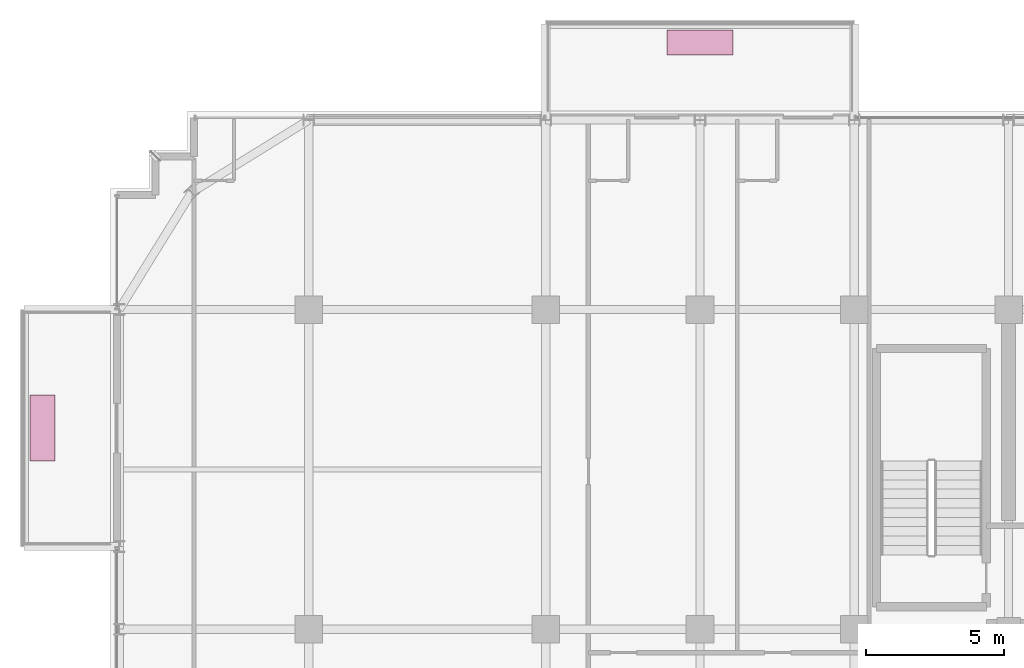
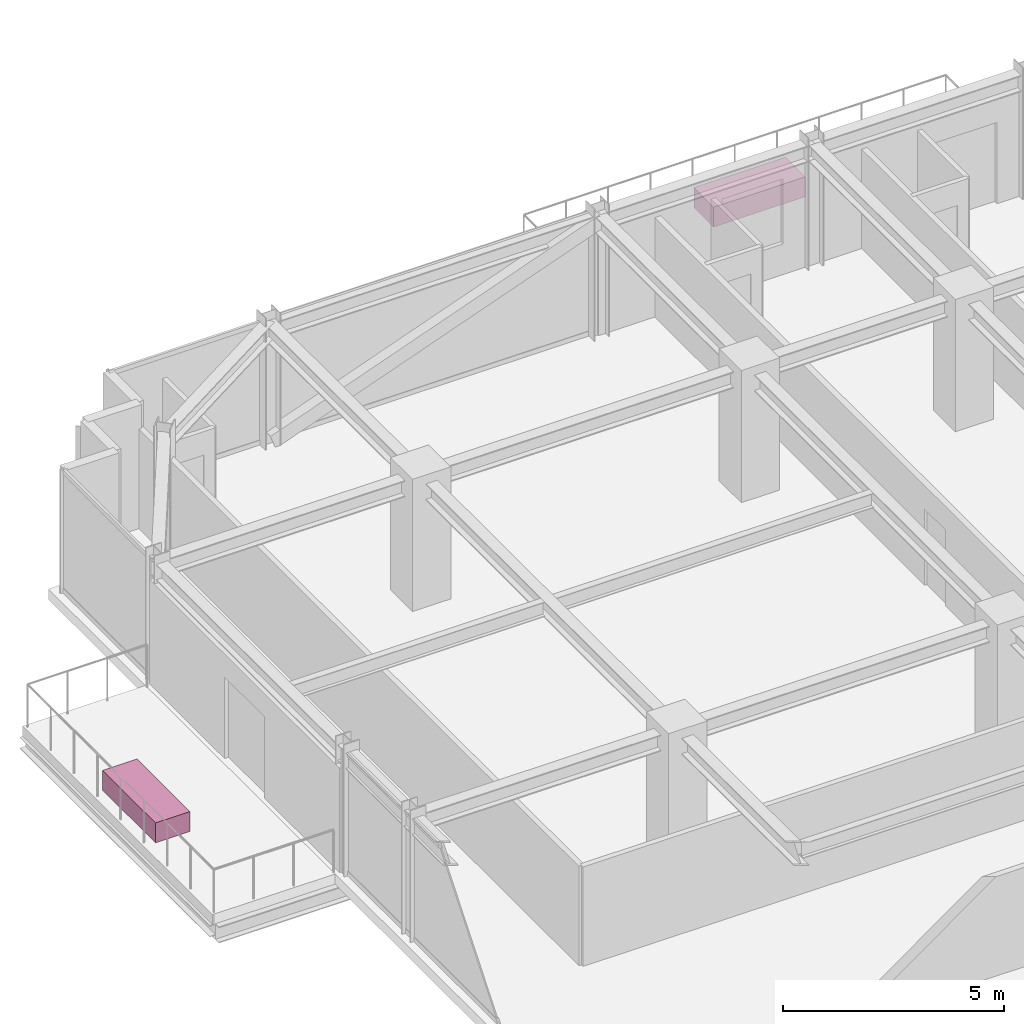
# One storey, part 41 of 41: 2 furnishings.
"""IFC4 building model written with IfcOpenShell, lengths in metres."""

from ifc_helpers import new_model, si_unit, direction, frame, origin, origin_2d, place, context, subcontext, project, spatial, rectangle, extrude, source, transform, mapped, material, type_object, element, save


model = new_model("IFC4")

# Units and contexts
model_context = context("Model", 3, precision=1e-05, world=origin(), true_north=direction((0.0, 1.0)))
body_context = subcontext(model_context, "Body", "Model", "MODEL_VIEW")
ifc_project = project(units=[si_unit("LENGTHUNIT", "METRE"), si_unit("AREAUNIT", "SQUARE_METRE"), si_unit("VOLUMEUNIT", "CUBIC_METRE"), si_unit("PLANEANGLEUNIT", "RADIAN"), si_unit("MASSUNIT", "GRAM", prefix="KILO")], contexts=[model_context])

# Site, building, storey
site_placement = place(None, origin())
site = spatial("IfcSite", under=ifc_project, at=site_placement, CompositionType="ELEMENT")
building_placement = place(site_placement, origin())
building = spatial("IfcBuilding", under=site, at=building_placement, Name="Nahalor Promenade Grand Hotel", CompositionType="ELEMENT")
storey_placement = place(building_placement, frame((0.0, 0.0, 227.10009765625)))
storey = spatial("IfcBuildingStorey", under=building, at=storey_placement, Name="L58", CompositionType="ELEMENT", Elevation=227.10009765625)

# Furnishings
ifc_material = material(Name="Vegetated Volcanic-Lapilli Tree Planter", Category="earth")
furnishing_element_type = type_object("IfcFurnishingElementType", Name="Planter-VerticalForest-Box", material=ifc_material)
shared_shape = source(origin(), body_context, "Body", "SweptSolid", [
    extrude(rectangle(XDim=2.39990234375, YDim=0.89990234375, at=origin_2d()), origin(), (0.0, 0.0, 1.0), 0.550048828125),
])
for number, where, z_axis, x_axis, name in (
    (1, (-2.800048828125, 26.68994140625, 0.0), (0.0, 0.0, 1.0), (1.0, 0.0, 0.0), "L58 Balcony Structural Tree Planter 1"),
    (2, (-26.659912109375, 12.699951171875, 0.0), (0.0, 0.0, 1.0), (0.0, 1.0, 0.0), "L58 Balcony Structural Tree Planter 2"),
):
    element("IfcFurnishingElement", number, at=place(storey_placement, frame(where, z_axis=z_axis, x_axis=x_axis)), inside=storey, type_object=furnishing_element_type, Name=name, ObjectType="PLANTER", context=body_context, shape_type="MappedRepresentation", body=[
        mapped(shared_shape, transform((0.0, 0.0, 0.0), scale=1.0)),
    ])

save(model, "model.ifc")
